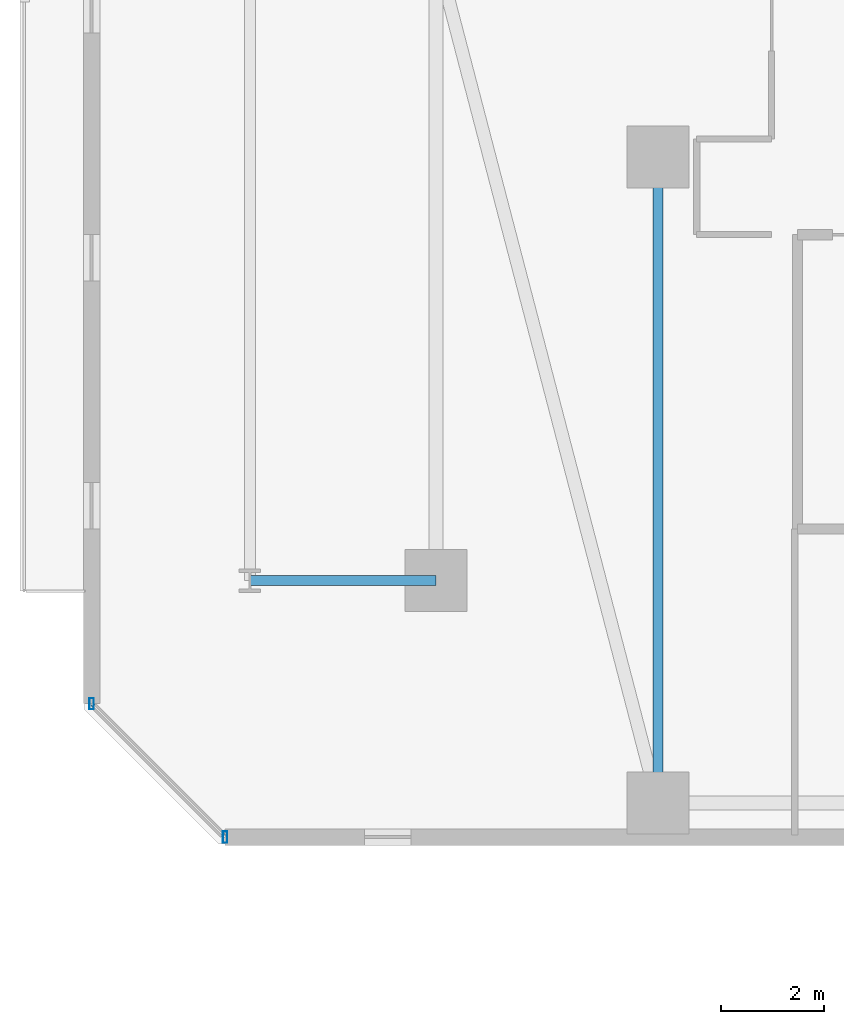
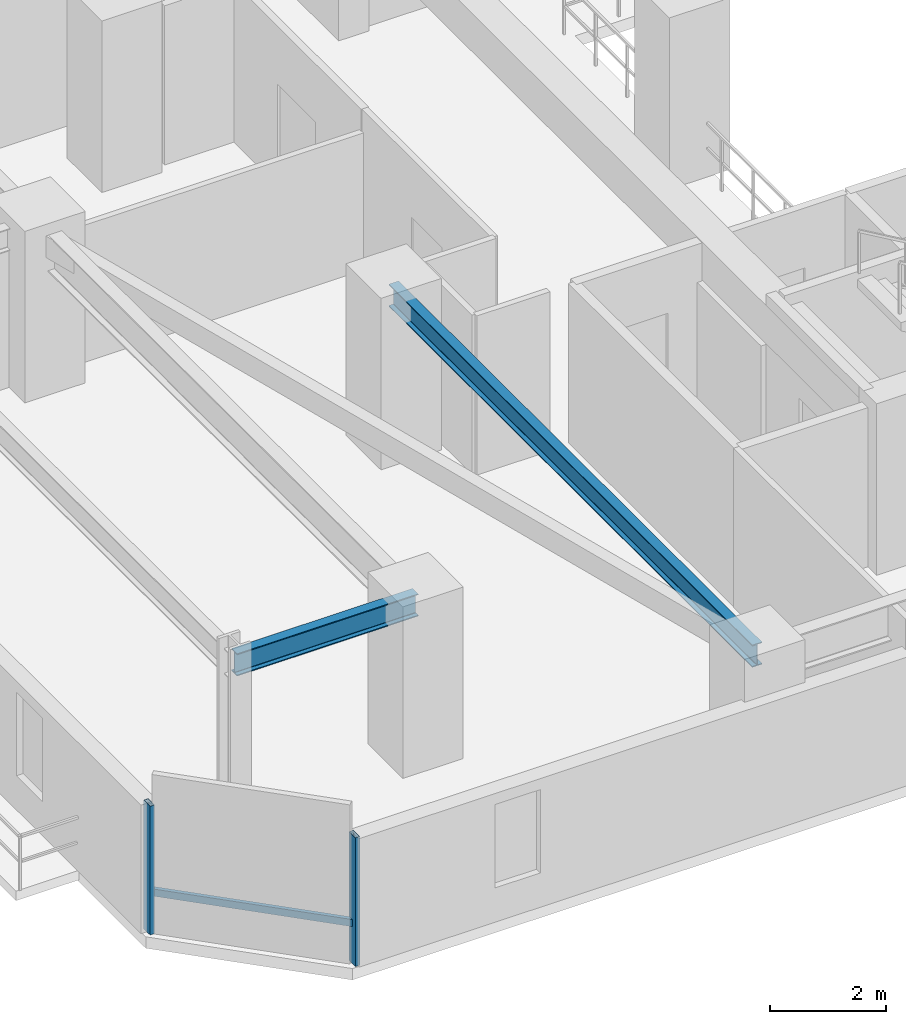
# One storey, part 3 of 33: 3 members, 2 beams, 1 element without a shape of its own.
"""IFC4 building model written with IfcOpenShell, lengths in metres."""

from ifc_helpers import new_model, si_unit, direction, frame, origin, origin_2d, place, context, subcontext, project, spatial, hollow_rectangle, i_section, extrude, material, material_profile, profile_set, type_object, element, aggregate, save


model = new_model("IFC4")

# Units and contexts
model_context = context("Model", 3, precision=1e-05, world=origin(), true_north=direction((0.0, 1.0)))
body_context = subcontext(model_context, "Body", "Model", "MODEL_VIEW")
ifc_project = project(units=[si_unit("LENGTHUNIT", "METRE"), si_unit("AREAUNIT", "SQUARE_METRE"), si_unit("VOLUMEUNIT", "CUBIC_METRE"), si_unit("PLANEANGLEUNIT", "RADIAN"), si_unit("MASSUNIT", "GRAM", prefix="KILO")], contexts=[model_context])

# Site, building, storey
site_placement = place(None, origin())
site = spatial("IfcSite", under=ifc_project, at=site_placement, CompositionType="ELEMENT")
building_placement = place(site_placement, origin())
building = spatial("IfcBuilding", under=site, at=building_placement, Name="Thornwick Lancets Civic Towers", CompositionType="ELEMENT")
storey_placement = place(building_placement, frame((0.0, 0.0, 105.300048828125)))
storey = spatial("IfcBuildingStorey", under=building, at=storey_placement, Name="L27", CompositionType="ELEMENT", Elevation=105.300048828125)

# Beams
ifc_material_1 = material(Name="Steel S355JR", Category="steel")
ifc_material_profile_1 = material_profile(ifc_material_1, i_section(OverallWidth=0.19287109375, OverallDepth=0.46728515625, WebThickness=0.011474609375, FlangeThickness=0.01953125, FilletRadius=0.01025390625, at=origin_2d()), Name="UKB 457x191x98")
ifc_profile_set_1 = profile_set([ifc_material_profile_1], Name="Steel S355JR")
beam_type = type_object("IfcBeamType", Name="BM_JOIST_457_98", PredefinedType="JOIST", material=ifc_profile_set_1)
beam_1_placement = place(storey_placement, frame((12.5, 22.199951171875, 3.12646484375), z_axis=(0.0, -1.0, 0.0), x_axis=(1.0, 0.0, 0.0)))
element("IfcBeam", 1, at=beam_1_placement, inside=storey, type_object=beam_type, Name="BM-RADIN-L27-A01", PredefinedType="JOIST", context=body_context, shape_type="SweptSolid", body=[
    extrude(i_section(OverallWidth=0.19287109375, OverallDepth=0.46728515625, WebThickness=0.011474609375, FlangeThickness=0.01953125, FilletRadius=0.01025390625, at=origin_2d()), origin(), (0.0, 0.0, 1.0), 12.5),
])
beam_2_placement = place(storey_placement, frame((8.199951171875, 14.0, 3.12646484375), z_axis=(-1.0, 0.0, 0.0), x_axis=(0.0, -1.0, 0.0)))
element("IfcBeam", 2, at=beam_2_placement, inside=storey, type_object=beam_type, Name="BM-RAD-L27-A10", PredefinedType="JOIST", context=body_context, shape_type="SweptSolid", body=[
    extrude(i_section(OverallWidth=0.19287109375, OverallDepth=0.46728515625, WebThickness=0.011474609375, FlangeThickness=0.01953125, FilletRadius=0.01025390625, at=origin_2d()), origin(), (0.0, 0.0, 1.0), 3.599853515625),
])

# Curtain wall, members
ifc_material_2 = material(Name="Low-zone chamfered-corner unitised glass curtain wall", Category="glass")
curtain_wall_type = type_object("IfcCurtainWallType", Name="CW_SYS_03", PredefinedType="NOTDEFINED", material=ifc_material_2)
curtain_wall_placement = place(storey_placement, origin())
curtain_wall = element("IfcCurtainWall", 3, at=curtain_wall_placement, inside=storey, type_object=curtain_wall_type, Name="L27 Curtain Wall CW-L27-A-E7", PredefinedType="NOTDEFINED")
ifc_material_3 = material(Name="Thermally broken bronze aluminium S355", Category="steel")
ifc_material_profile_2 = material_profile(ifc_material_3, hollow_rectangle(XDim=0.090087890625, YDim=0.219970703125, WallThickness=0.00634765625, at=origin_2d()), Name="RHS 220x90x6.3")
ifc_profile_set_2 = profile_set([ifc_material_profile_2], Name="Thermally broken bronze aluminium S355")
member_type_1 = type_object("IfcMemberType", Name="CW_MUL_220", PredefinedType="MULLION", material=ifc_profile_set_2)
member_1_placement = place(storey_placement, frame((1.535400390625, 11.61865234375, 0.0), z_axis=(0.0, 0.0, 1.0), x_axis=(1.0, 0.0, 0.0)))
member_1 = element("IfcMember", 4, at=member_1_placement, type_object=member_type_1, Name="CW-L27-A-E7 Mullion 0", PredefinedType="MULLION", context=body_context, shape_type="SweptSolid", body=[
    extrude(hollow_rectangle(XDim=0.090087890625, YDim=0.219970703125, WallThickness=0.00634765625, at=origin_2d()), origin(), (0.0, 0.0, 1.0), 2.699951171875),
])
member_2_placement = place(storey_placement, frame((4.11865234375, 9.035400390625, 0.0), z_axis=(0.0, 0.0, 1.0), x_axis=(1.0, 0.0, 0.0)))
member_2 = element("IfcMember", 5, at=member_2_placement, type_object=member_type_1, Name="CW-L27-A-E7 Mullion 1", PredefinedType="MULLION", context=body_context, shape_type="SweptSolid", body=[
    extrude(hollow_rectangle(XDim=0.090087890625, YDim=0.219970703125, WallThickness=0.00634765625, at=origin_2d()), origin(), (0.0, 0.0, 1.0), 2.699951171875),
])
ifc_material_profile_3 = material_profile(ifc_material_3, hollow_rectangle(XDim=0.074951171875, YDim=0.14990234375, WallThickness=0.0048828125, at=origin_2d()), Name="RHS 150x75x5")
ifc_profile_set_3 = profile_set([ifc_material_profile_3], Name="Thermally broken bronze aluminium S355")
member_type_2 = type_object("IfcMemberType", Name="CW_TRN_150", PredefinedType="USERDEFINED", material=ifc_profile_set_3)
member_3_placement = place(storey_placement, frame((1.54931640625, 11.6044921875, 0.849853515625), z_axis=(0.707106781187, -0.707106781187, 0.0), x_axis=(0.707106781187, 0.707106781187, 0.0)))
member_3 = element("IfcMember", 6, at=member_3_placement, type_object=member_type_2, Name="CW-L27-A-E7 Transom 0", ObjectType="TRANSOM", PredefinedType="USERDEFINED", context=body_context, shape_type="SweptSolid", body=[
    extrude(hollow_rectangle(XDim=0.074951171875, YDim=0.14990234375, WallThickness=0.0048828125, at=origin_2d()), origin(), (0.0, 0.0, 1.0), 3.613525390625),
])
aggregate(curtain_wall, [member_1, member_2, member_3])

save(model, "model.ifc")
